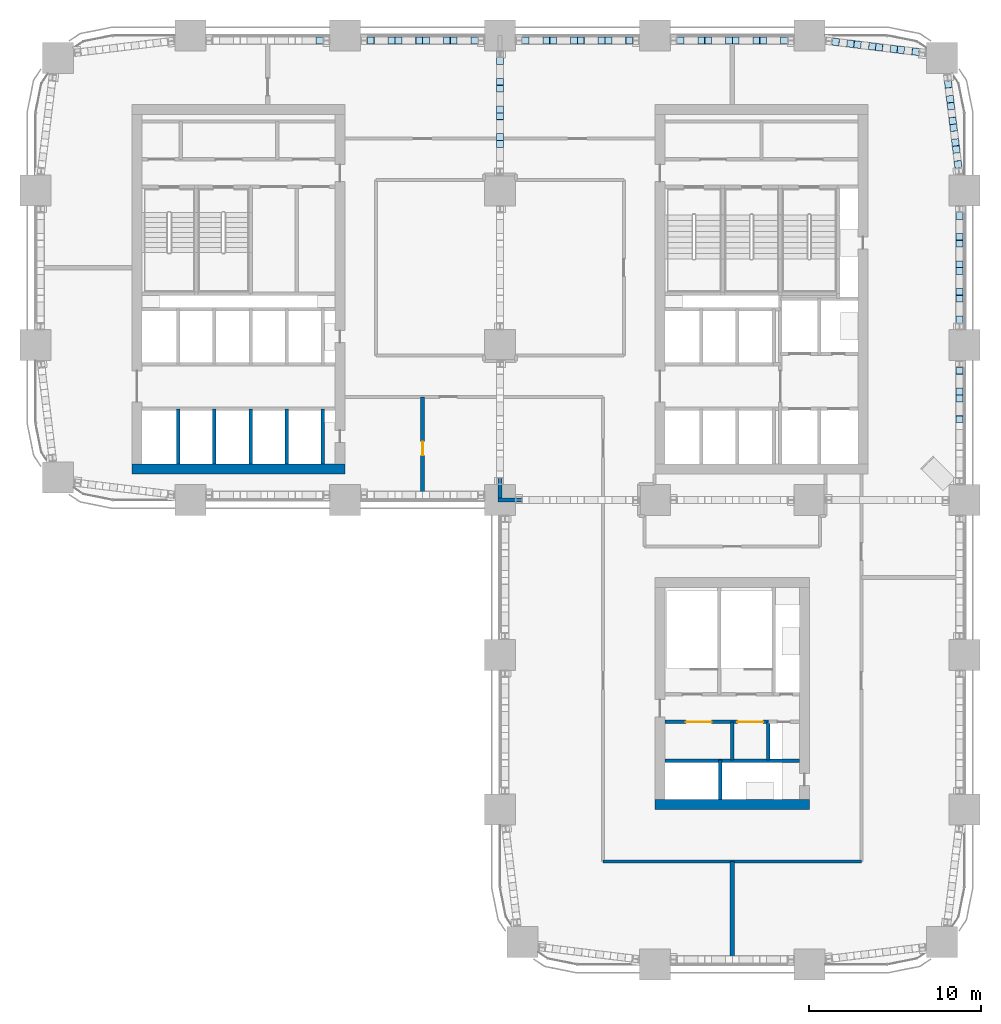
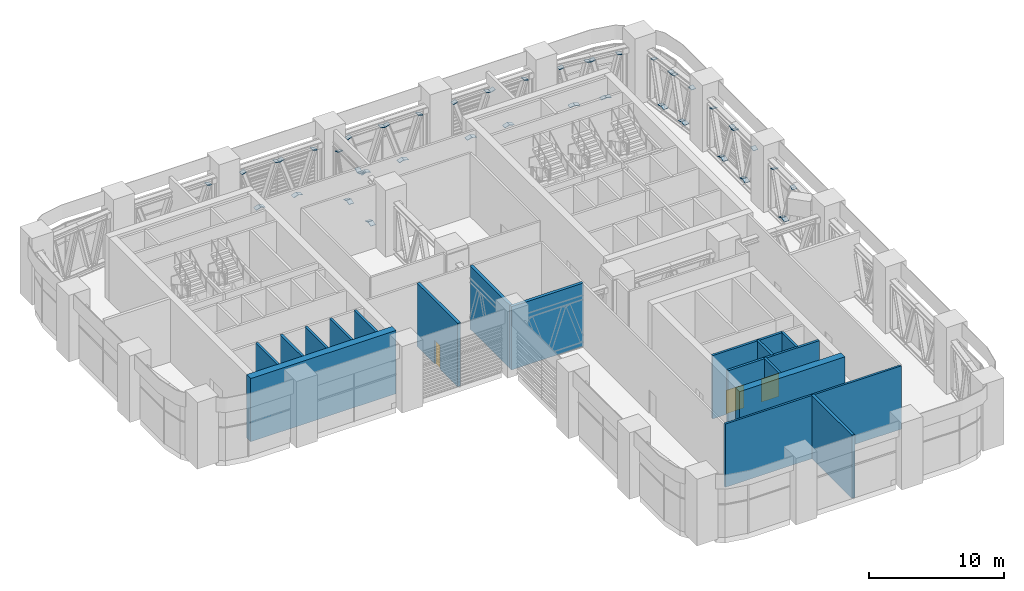
# One storey, part 15 of 24: 60 plates, 17 walls, 3 doors, 3 openings.
"""IFC4 building model written with IfcOpenShell, lengths in metres."""

import ifcopenshell
import ifcopenshell.guid

model = None  # the IFC model being written
_history = None  # IfcOwnerHistory: only IFC2X3 demands one
_inside = {}  # id of a spatial element -> (the spatial element, [elements in it])
_under = {}  # id of a project, library or spatial element -> (it, [spatial elements below it])
_declared = {}  # id of a project -> (the project, [libraries it declares])
_typed = {}  # id of a type object -> (the type object, [elements of that type])
_made_of = {}  # id of a material, layer set ... -> (it, [elements and type objects made of it])


def new_model(schema):
    """Start an empty IFC model of exactly this schema.

    Asked for "IFC4X3", IfcOpenShell would pick the latest addendum, in which some entities
    have other attributes; the version numbers below select the first issue.
    IFC2X3 requires an IfcOwnerHistory on every rooted entity: one is made here for all.
    """
    global model, _history
    if schema == "IFC4X3":
        model = ifcopenshell.file(schema_version=(4, 3, 0, 0))
    else:
        model = ifcopenshell.file(schema=schema)
    _inside.clear()
    _under.clear()
    _declared.clear()
    _typed.clear()
    _made_of.clear()
    _history = None
    if model.schema == "IFC2X3":
        org = make("IfcOrganization", Name="unknown")
        user = make(
            "IfcPersonAndOrganization",
            ThePerson=make("IfcPerson", FamilyName="unknown"),
            TheOrganization=org,
        )
        app = make(
            "IfcApplication",
            ApplicationDeveloper=org,
            Version="unknown",
            ApplicationFullName="unknown",
            ApplicationIdentifier="unknown",
        )
        _history = make(
            "IfcOwnerHistory",
            OwningUser=user,
            OwningApplication=app,
            ChangeAction="ADDED",
            CreationDate=0,
        )
    return model


def make(cls, **values):
    """One entity of the class cls with the attributes given. An attribute that is None is left unset."""
    return model.create_entity(
        cls, **{name: value for name, value in values.items() if value is not None}
    )


def rooted(cls, **values):
    """An entity with a GlobalId (a new one), such as an element, a storey or a relation."""
    return make(cls, GlobalId=ifcopenshell.guid.new(), OwnerHistory=_history, **values)


def si_unit(unit_type, name, prefix=None):
    """IfcSIUnit, for example si_unit("LENGTHUNIT", "METRE", prefix="MILLI")."""
    return make("IfcSIUnit", UnitType=unit_type, Prefix=prefix, Name=name)


def assignment(units):
    """IfcUnitAssignment: the units of a project."""
    return None if units is None else make("IfcUnitAssignment", Units=units)


def point(xyz):
    """IfcCartesianPoint."""
    return None if xyz is None else make("IfcCartesianPoint", Coordinates=xyz)


def direction(xyz):
    """IfcDirection."""
    return None if xyz is None else make("IfcDirection", DirectionRatios=xyz)


def frame(location, z_axis=None, x_axis=None):
    """IfcAxis2Placement3D, a coordinate frame: its origin and axes. An axis left out is left unset."""
    return make(
        "IfcAxis2Placement3D",
        Location=point(location),
        Axis=direction(z_axis),
        RefDirection=direction(x_axis),
    )


def frame_2d(location, x_axis=None):
    """IfcAxis2Placement2D, a coordinate frame in the plane: its origin and x axis."""
    return make(
        "IfcAxis2Placement2D", Location=point(location), RefDirection=direction(x_axis)
    )


def origin():
    """The frame at (0, 0, 0) with its axes left unset."""
    return frame((0.0, 0.0, 0.0))


def origin_2d():
    """The frame at (0, 0) in the plane with its x axis left unset."""
    return frame_2d((0.0, 0.0))


def place(relative_to, where):
    """IfcLocalPlacement: puts the frame where relative to a parent placement (None: the world)."""
    return make(
        "IfcLocalPlacement", PlacementRelTo=relative_to, RelativePlacement=where
    )


def context(
    kind, dimensions, precision=None, world=None, true_north=None, identifier=None
):
    """IfcGeometricRepresentationContext, for example the 3D "Model" context."""
    return make(
        "IfcGeometricRepresentationContext",
        ContextIdentifier=identifier,
        ContextType=kind,
        CoordinateSpaceDimension=dimensions,
        Precision=precision,
        WorldCoordinateSystem=world,
        TrueNorth=true_north,
    )


def subcontext(parent, identifier, kind, view, scale=None):
    """IfcGeometricRepresentationSubContext, for example "Body" below "Model"."""
    return make(
        "IfcGeometricRepresentationSubContext",
        ContextIdentifier=identifier,
        ContextType=kind,
        ParentContext=parent,
        TargetScale=scale,
        TargetView=view,
    )


def project(units=None, contexts=None):
    """IfcProject with its units and contexts."""
    return rooted(
        "IfcProject",
        Name="project",
        RepresentationContexts=contexts,
        UnitsInContext=assignment(units),
    )


def spatial(cls, under=None, at=None, **own):
    """A site, building, storey or space (cls), placed at a placement, below another one or the project."""
    s = rooted(cls, ObjectPlacement=at, **own)
    if under is not None:
        _under.setdefault(under.id(), (under, []))[1].append(s)
    return s


def profile(cls, at=None, kind="AREA", **sizes):
    """A parametric profile (cls). Its sizes go by their IFC names, for example OverallWidth=200.0."""
    return make(cls, ProfileType=kind, Position=at, **sizes)


def rectangle(**sizes):
    """IfcRectangleProfileDef."""
    return profile("IfcRectangleProfileDef", **sizes)


def extrude(swept, where, along, depth):
    """IfcExtrudedAreaSolid: the profile swept, set in the frame where, extruded along a direction by depth."""
    return make(
        "IfcExtrudedAreaSolid",
        SweptArea=swept,
        Position=where,
        ExtrudedDirection=direction(along),
        Depth=depth,
    )


def shape(context_of_items, identifier, shape_type, items):
    """IfcShapeRepresentation: the items that make up one representation, for example the "Body"."""
    return make(
        "IfcShapeRepresentation",
        ContextOfItems=context_of_items,
        RepresentationIdentifier=identifier,
        RepresentationType=shape_type,
        Items=items,
    )


def material(Name=None, Category=None):
    """IfcMaterial."""
    return make("IfcMaterial", Name=Name, Category=Category)


def layer(
    of_material, thickness, ventilated=None, Name=None, Category=None, Priority=None
):
    """IfcMaterialLayer: one layer of a wall or slab, of a material (None: an air gap)."""
    return make(
        "IfcMaterialLayer",
        Material=of_material,
        LayerThickness=thickness,
        IsVentilated=ventilated,
        Name=Name,
        Category=Category,
        Priority=Priority,
    )


def layer_set(layers, Name=None):
    """IfcMaterialLayerSet."""
    return make("IfcMaterialLayerSet", MaterialLayers=layers, LayerSetName=Name)


def made_of(thing, what):
    """Note that an element or type object is made of a material, layer set ...; save() writes the relation."""
    if what is not None:
        _made_of.setdefault(what.id(), (what, []))[1].append(thing)
    return thing


def type_object(cls, material=None, **own):
    """A type object (cls), such as IfcWallType, which elements share."""
    return made_of(rooted(cls, **own), material)


def element(
    cls,
    number,
    at=None,
    inside=None,
    cuts=None,
    type_object=None,
    material=None,
    context=None,
    identifier="Body",
    shape_type=None,
    held_by="IfcProductDefinitionShape",
    body=None,
    shapes=None,
    **own,
):
    """One element of the class cls, such as IfcWall. Its Tag is "e" and its number.

    at: its placement. inside: the storey or other place that contains it. cuts: it is an
    opening in that element (IfcRelVoidsElement). A single representation is given by context,
    identifier, shape_type and body (its items); several are given by shapes. held_by: the class
    of the entity that holds the representations. save() writes the other relations.
    """
    e = rooted(cls, Tag="e%d" % number, ObjectPlacement=at, **own)
    if body is not None:
        shapes = [shape(context, identifier, shape_type, body)]
    if shapes is not None:
        e.Representation = make(held_by, Representations=shapes)
    if inside is not None:
        _inside.setdefault(inside.id(), (inside, []))[1].append(e)
    if cuts is not None:
        rooted(
            "IfcRelVoidsElement", RelatingBuildingElement=cuts, RelatedOpeningElement=e
        )
    if type_object is not None:
        _typed.setdefault(type_object.id(), (type_object, []))[1].append(e)
    return made_of(e, material)


def fill(opening, filler):
    """IfcRelFillsElement: the door or window that sits in an opening."""
    return rooted(
        "IfcRelFillsElement",
        RelatingOpeningElement=opening,
        RelatedBuildingElement=filler,
    )


def aggregate(whole, parts):
    """IfcRelAggregates: a whole, such as a stair, and the parts it consists of."""
    return rooted("IfcRelAggregates", RelatingObject=whole, RelatedObjects=parts)


def save(model, path):
    """Write the relations noted so far, then the file.

    IfcRelAggregates (storeys below a building ...), IfcRelContainedInSpatialStructure (elements
    in a storey), IfcRelDefinesByType, IfcRelAssociatesMaterial and IfcRelDeclares: one each for
    every whole, place, type object, material and project.
    """
    for whole, parts in _under.values():
        aggregate(whole, parts)
    for where, things in _inside.values():
        rooted(
            "IfcRelContainedInSpatialStructure",
            RelatedElements=things,
            RelatingStructure=where,
        )
    for kind, things in _typed.values():
        rooted("IfcRelDefinesByType", RelatedObjects=things, RelatingType=kind)
    for what, things in _made_of.values():
        rooted("IfcRelAssociatesMaterial", RelatedObjects=things, RelatingMaterial=what)
    for by, libraries in _declared.values():
        rooted("IfcRelDeclares", RelatingContext=by, RelatedDefinitions=libraries)
    model.write(path)


model = new_model("IFC4")

# Units and contexts
model_context = context("Model", 3, precision=1e-05, world=origin(), true_north=direction((0.0, 1.0)))
body_context = subcontext(model_context, "Body", "Model", "MODEL_VIEW")
ifc_project = project(units=[si_unit("LENGTHUNIT", "METRE"), si_unit("AREAUNIT", "SQUARE_METRE"), si_unit("VOLUMEUNIT", "CUBIC_METRE"), si_unit("PLANEANGLEUNIT", "RADIAN"), si_unit("MASSUNIT", "GRAM", prefix="KILO")], contexts=[model_context])

# Site, building, storey
site_placement = place(None, origin())
site = spatial("IfcSite", under=ifc_project, at=site_placement, CompositionType="ELEMENT")
building_placement = place(site_placement, origin())
building = spatial("IfcBuilding", under=site, at=building_placement, Name="Tessera Arch", CompositionType="ELEMENT")
storey_placement = place(building_placement, frame((0.0, 0.0, 123.39990234375)))
storey = spatial("IfcBuildingStorey", under=building, at=storey_placement, Name="L29", CompositionType="ELEMENT", Elevation=123.39990234375)

# Plates
ifc_material_1 = material(Name="Steel A572 Gr50", Category="steel")
ifc_layer_1 = layer(ifc_material_1, 0.0400390625)
ifc_layer_set_1 = layer_set([ifc_layer_1], Name="End plate W14x257")
plate_type = type_object("IfcPlateType", Name="End plate W14x257", PredefinedType="SHEET", material=ifc_layer_set_1)
for number, where, z_axis, x_axis, name in (
    (1, (43.515625, 53.699951171875, 4.180908203125), (-0.316227766017, 0.0, -0.948683298051), (0.0, -1.0, 0.0), "End plate Belt truss diagonal 1 end 1"),
    (2, (42.306396484375, 53.699951171875, 0.557373046875), (-0.316227766017, 0.0, -0.948683298051), (0.0, -1.0, 0.0), "End plate Belt truss diagonal 1 end 2"),
    (3, (41.91259765625, 53.699951171875, 0.519287109375), (-0.316227766017, 0.0, 0.948683298051), (0.0, -1.0, 0.0), "End plate Belt truss diagonal 2 end 1"),
    (4, (40.703369140625, 53.699951171875, 4.142822265625), (-0.316227766017, 0.0, 0.948683298051), (0.0, -1.0, 0.0), "End plate Belt truss diagonal 2 end 2"),
    (5, (40.309326171875, 53.699951171875, 4.180908203125), (-0.316227766017, 0.0, -0.948683298051), (0.0, -1.0, 0.0), "End plate Belt truss diagonal 3 end 1"),
    (6, (39.10009765625, 53.699951171875, 0.557373046875), (-0.316227766017, 0.0, -0.948683298051), (0.0, -1.0, 0.0), "End plate Belt truss diagonal 3 end 2"),
    (7, (38.706298828125, 53.699951171875, 0.519287109375), (-0.316227766017, 0.0, 0.948683298051), (0.0, -1.0, 0.0), "End plate Belt truss diagonal 4 end 1"),
    (8, (37.4970703125, 53.699951171875, 4.142822265625), (-0.316227766017, 0.0, 0.948683298051), (0.0, -1.0, 0.0), "End plate Belt truss diagonal 4 end 2"),
    (9, (34.515625, 53.699951171875, 4.180908203125), (-0.316227766017, 0.0, -0.948683298051), (0.0, -1.0, 0.0), "End plate Belt truss diagonal 1 end 1"),
    (10, (33.306396484375, 53.699951171875, 0.557373046875), (-0.316227766017, 0.0, -0.948683298051), (0.0, -1.0, 0.0), "End plate Belt truss diagonal 1 end 2"),
    (11, (32.91259765625, 53.699951171875, 0.519287109375), (-0.316227766017, 0.0, 0.948683298051), (0.0, -1.0, 0.0), "End plate Belt truss diagonal 2 end 1"),
    (12, (31.703369140625, 53.699951171875, 4.142822265625), (-0.316227766017, 0.0, 0.948683298051), (0.0, -1.0, 0.0), "End plate Belt truss diagonal 2 end 2"),
    (13, (31.309326171875, 53.699951171875, 4.180908203125), (-0.316227766017, 0.0, -0.948683298051), (0.0, -1.0, 0.0), "End plate Belt truss diagonal 3 end 1"),
    (14, (30.10009765625, 53.699951171875, 0.557373046875), (-0.316227766017, 0.0, -0.948683298051), (0.0, -1.0, 0.0), "End plate Belt truss diagonal 3 end 2"),
    (15, (29.706298828125, 53.699951171875, 0.519287109375), (-0.316227766017, 0.0, 0.948683298051), (0.0, -1.0, 0.0), "End plate Belt truss diagonal 4 end 1"),
    (16, (28.4970703125, 53.699951171875, 4.142822265625), (-0.316227766017, 0.0, 0.948683298051), (0.0, -1.0, 0.0), "End plate Belt truss diagonal 4 end 2"),
    (17, (25.515625, 53.699951171875, 4.180908203125), (-0.316227766017, 0.0, -0.948683298051), (0.0, -1.0, 0.0), "End plate Belt truss diagonal 1 end 1"),
    (18, (24.306396484375, 53.699951171875, 0.557373046875), (-0.316227766017, 0.0, -0.948683298051), (0.0, -1.0, 0.0), "End plate Belt truss diagonal 1 end 2"),
    (19, (23.91259765625, 53.699951171875, 0.519287109375), (-0.316227766017, 0.0, 0.948683298051), (0.0, -1.0, 0.0), "End plate Belt truss diagonal 2 end 1"),
    (20, (22.703369140625, 53.699951171875, 4.142822265625), (-0.316227766017, 0.0, 0.948683298051), (0.0, -1.0, 0.0), "End plate Belt truss diagonal 2 end 2"),
    (21, (22.309326171875, 53.699951171875, 4.180908203125), (-0.316227766017, 0.0, -0.948683298051), (0.0, -1.0, 0.0), "End plate Belt truss diagonal 3 end 1"),
    (22, (21.10009765625, 53.699951171875, 0.557373046875), (-0.316227766017, 0.0, -0.948683298051), (0.0, -1.0, 0.0), "End plate Belt truss diagonal 3 end 2"),
    (23, (20.706298828125, 53.699951171875, 0.519287109375), (-0.316227766017, 0.0, 0.948683298051), (0.0, -1.0, 0.0), "End plate Belt truss diagonal 4 end 1"),
    (24, (19.4970703125, 53.699951171875, 4.142822265625), (-0.316227766017, 0.0, 0.948683298051), (0.0, -1.0, 0.0), "End plate Belt truss diagonal 4 end 2"),
    (25, (16.515625, 53.699951171875, 4.180908203125), (-0.316227766017, 0.0, -0.948683298051), (0.0, -1.0, 0.0), "End plate Belt truss diagonal 1 end 1"),
    (26, (53.699951171875, 31.690673828125, 4.180908203125), (0.0, 0.316227766017, -0.948683298051), (-1.0, 0.0, 0.0), "End plate Belt truss diagonal 3 end 1"),
    (27, (53.699951171875, 32.89990234375, 0.557373046875), (0.0, 0.316227766017, -0.948683298051), (-1.0, 0.0, 0.0), "End plate Belt truss diagonal 3 end 2"),
    (28, (53.699951171875, 33.293701171875, 0.519287109375), (0.0, 0.316227766017, 0.948683298051), (-1.0, 0.0, 0.0), "End plate Belt truss diagonal 4 end 1"),
    (29, (53.699951171875, 34.5029296875, 4.142822265625), (0.0, 0.316227766017, 0.948683298051), (-1.0, 0.0, 0.0), "End plate Belt truss diagonal 4 end 2"),
    (30, (53.699951171875, 37.484375, 4.180908203125), (0.0, 0.316227766017, -0.948683298051), (-1.0, 0.0, 0.0), "End plate Belt truss diagonal 1 end 1"),
    (31, (53.699951171875, 38.693603515625, 0.557373046875), (0.0, 0.316227766017, -0.948683298051), (-1.0, 0.0, 0.0), "End plate Belt truss diagonal 1 end 2"),
    (32, (53.699951171875, 39.08740234375, 0.519287109375), (0.0, 0.316227766017, 0.948683298051), (-1.0, 0.0, 0.0), "End plate Belt truss diagonal 2 end 1"),
    (33, (53.699951171875, 40.296630859375, 4.142822265625), (0.0, 0.316227766017, 0.948683298051), (-1.0, 0.0, 0.0), "End plate Belt truss diagonal 2 end 2"),
    (34, (53.699951171875, 40.690673828125, 4.180908203125), (0.0, 0.316227766017, -0.948683298051), (-1.0, 0.0, 0.0), "End plate Belt truss diagonal 3 end 1"),
    (35, (53.699951171875, 41.89990234375, 0.557373046875), (0.0, 0.316227766017, -0.948683298051), (-1.0, 0.0, 0.0), "End plate Belt truss diagonal 3 end 2"),
    (36, (53.699951171875, 42.293701171875, 0.519287109375), (0.0, 0.316227766017, 0.948683298051), (-1.0, 0.0, 0.0), "End plate Belt truss diagonal 4 end 1"),
    (37, (53.699951171875, 43.5029296875, 4.142822265625), (0.0, 0.316227766017, 0.948683298051), (-1.0, 0.0, 0.0), "End plate Belt truss diagonal 4 end 2"),
    (38, (53.623046875, 46.5126953125, 4.199462890625), (-0.024349989604, 0.225237403834, -0.973999584148), (-0.994207047566, -0.10748184298, 0.0), "End plate Belt truss diagonal 1 end 1"),
    (39, (53.5185546875, 47.37060546875, 0.539794921875), (-0.024316221747, 0.231004106598, -0.972648869888), (-0.994505452921, -0.104684784518, 0.0), "End plate Belt truss diagonal 1 end 2"),
    (40, (53.4697265625, 47.772216796875, 0.500732421875), (-0.03043241254, 0.225199852793, 0.973837201266), (-0.99099243041, -0.133917896001, 0.0), "End plate Belt truss diagonal 2 end 1"),
    (41, (53.364990234375, 48.63037109375, 4.160400390625), (-0.024349989604, 0.225237403834, 0.973999584148), (-0.994207047566, -0.10748184298, 0.0), "End plate Belt truss diagonal 2 end 2"),
    (42, (53.316162109375, 49.03173828125, 4.199462890625), (-0.024316221747, 0.231004106598, -0.972648869888), (-0.994505452921, -0.104684784518, 0.0), "End plate Belt truss diagonal 3 end 1"),
):
    element("IfcPlate", number, at=place(storey_placement, frame(where, z_axis=z_axis, x_axis=x_axis)), inside=storey, type_object=plate_type, Name=name, PredefinedType="SHEET", context=body_context, shape_type="SweptSolid", body=[
        extrude(rectangle(XDim=0.406494140625, YDim=0.41650390625, at=origin_2d()), origin(), (0.0, 0.0, 1.0), 0.0400390625),
    ])
plate_1_placement = place(storey_placement, frame((53.211669921875, 49.889892578125, 0.539794921875), z_axis=(-0.030390223798, 0.230965700861, -0.972487161521), x_axis=(-0.991454295543, -0.130454512571, 0.0)))
element("IfcPlate", 43, at=plate_1_placement, inside=storey, type_object=plate_type, Name="End plate Belt truss diagonal 3 end 2", PredefinedType="SHEET", context=body_context, shape_type="SweptSolid", body=[
    extrude(rectangle(XDim=0.406494140625, YDim=0.41650390625, at=origin_2d()), origin(), (0.0, 0.0, 1.0), 0.040283203125),
])
for number, where, z_axis, x_axis, name in (
    (44, (53.16259765625, 50.29150390625, 0.500732421875), (-0.024349989604, 0.225237403834, 0.973999584148), (-0.994207047566, -0.10748184298, 0.0), "End plate Belt truss diagonal 4 end 1"),
    (45, (53.05810546875, 51.149658203125, 4.160400390625), (-0.024349989604, 0.225237403834, 0.973999584148), (-0.994207047566, -0.10748184298, 0.0), "End plate Belt truss diagonal 4 end 2"),
    (46, (51.15869140625, 53.05712890625, 4.199462890625), (-0.225237403834, 0.024349989604, -0.973999584148), (-0.10748184298, -0.994207047566, 0.0), "End plate Belt truss diagonal 1 end 1"),
    (47, (50.300537109375, 53.16162109375, 0.539794921875), (-0.225237403834, 0.024349989604, -0.973999584148), (-0.10748184298, -0.994207047566, 0.0), "End plate Belt truss diagonal 1 end 2"),
):
    element("IfcPlate", number, at=place(storey_placement, frame(where, z_axis=z_axis, x_axis=x_axis)), inside=storey, type_object=plate_type, Name=name, PredefinedType="SHEET", context=body_context, shape_type="SweptSolid", body=[
        extrude(rectangle(XDim=0.406494140625, YDim=0.41650390625, at=origin_2d()), origin(), (0.0, 0.0, 1.0), 0.0400390625),
    ])
plate_2_placement = place(storey_placement, frame((49.899169921875, 53.21044921875, 0.500732421875), z_axis=(-0.230965700861, 0.030390223798, 0.972487161521), x_axis=(-0.130454512571, -0.991454295543, 0.0)))
element("IfcPlate", 48, at=plate_2_placement, inside=storey, type_object=plate_type, Name="End plate Belt truss diagonal 2 end 1", PredefinedType="SHEET", context=body_context, shape_type="SweptSolid", body=[
    extrude(rectangle(XDim=0.406494140625, YDim=0.41650390625, at=origin_2d()), origin(), (0.0, 0.0, 1.0), 0.040283203125),
])
for number, where, z_axis, x_axis, name in (
    (49, (49.041015625, 53.315185546875, 4.160400390625), (-0.231004106598, 0.024316221747, 0.972648869888), (-0.104684784518, -0.994505452921, 0.0), "End plate Belt truss diagonal 2 end 2"),
    (50, (48.639404296875, 53.364013671875, 4.199462890625), (-0.225237403834, 0.024349989604, -0.973999584148), (-0.10748184298, -0.994207047566, 0.0), "End plate Belt truss diagonal 3 end 1"),
    (51, (47.78125, 53.468505859375, 0.539794921875), (-0.225199852793, 0.03043241254, -0.973837201266), (-0.133917896001, -0.99099243041, 0.0), "End plate Belt truss diagonal 3 end 2"),
    (52, (47.3798828125, 53.517578125, 0.500732421875), (-0.231004106598, 0.024316221747, 0.972648869888), (-0.104684784518, -0.994505452921, 0.0), "End plate Belt truss diagonal 4 end 1"),
    (53, (46.521728515625, 53.6220703125, 4.160400390625), (-0.225237403834, 0.024349989604, 0.973999584148), (-0.10748184298, -0.994207047566, 0.0), "End plate Belt truss diagonal 4 end 2"),
    (54, (27.0, 47.693603515625, 0.557373046875), (0.0, 0.316227766017, -0.948683298051), (-1.0, 0.0, 0.0), "End plate Belt truss diagonal 1 end 2"),
    (55, (27.0, 48.08740234375, 0.519287109375), (0.0, 0.316227766017, 0.948683298051), (-1.0, 0.0, 0.0), "End plate Belt truss diagonal 2 end 1"),
    (56, (27.0, 49.296630859375, 4.142822265625), (0.0, 0.316227766017, 0.948683298051), (-1.0, 0.0, 0.0), "End plate Belt truss diagonal 2 end 2"),
    (57, (27.0, 49.690673828125, 4.180908203125), (0.0, 0.316227766017, -0.948683298051), (-1.0, 0.0, 0.0), "End plate Belt truss diagonal 3 end 1"),
    (58, (27.0, 50.89990234375, 0.557373046875), (0.0, 0.316227766017, -0.948683298051), (-1.0, 0.0, 0.0), "End plate Belt truss diagonal 3 end 2"),
    (59, (27.0, 51.293701171875, 0.519287109375), (0.0, 0.316227766017, 0.948683298051), (-1.0, 0.0, 0.0), "End plate Belt truss diagonal 4 end 1"),
    (60, (27.0, 52.5029296875, 4.142822265625), (0.0, 0.316227766017, 0.948683298051), (-1.0, 0.0, 0.0), "End plate Belt truss diagonal 4 end 2"),
):
    element("IfcPlate", number, at=place(storey_placement, frame(where, z_axis=z_axis, x_axis=x_axis)), inside=storey, type_object=plate_type, Name=name, PredefinedType="SHEET", context=body_context, shape_type="SweptSolid", body=[
        extrude(rectangle(XDim=0.406494140625, YDim=0.41650390625, at=origin_2d()), origin(), (0.0, 0.0, 1.0), 0.0400390625),
    ])

# Wall
ifc_material_2 = material(Name="Gypsum board on steel stud", Category="steel")
ifc_layer_2 = layer(ifc_material_2, 0.125)
ifc_layer_set_2 = layer_set([ifc_layer_2], Name="Core partition 125 EI 60")
wall_type_1 = type_object("IfcWallType", Name="Core partition 125 EI 60", PredefinedType="PARTITIONING", material=ifc_layer_set_2)
wall_1_placement = place(storey_placement, frame((40.5, 11.89990234375, 0.0), z_axis=(0.0, 0.0, 1.0), x_axis=(0.0, 1.0, 0.0)))
element("IfcWall", 61, at=wall_1_placement, inside=storey, type_object=wall_type_1, Name="L29 C3 partition wall 3", PredefinedType="PARTITIONING", context=body_context, shape_type="SweptSolid", body=[
    extrude(rectangle(XDim=2.2001953125, YDim=0.199951171875, at=frame_2d((1.10009765625, 0.0))), origin(), (0.0, 0.0, 1.0), 5.7001953125),
])

# Wall, openings, doors
wall_2_placement = place(storey_placement, frame((36.60009765625, 14.10009765625, 0.0), z_axis=(0.0, 0.0, 1.0), x_axis=(1.0, 0.0, 0.0)))
wall_2 = element("IfcWall", 62, at=wall_2_placement, inside=storey, type_object=wall_type_1, Name="L29 C3 partition wall 7", PredefinedType="PARTITIONING", context=body_context, shape_type="SweptSolid", body=[
    extrude(rectangle(XDim=6.0, YDim=0.199951171875, at=frame_2d((3.0, 0.0))), origin(), (0.0, 0.0, 1.0), 5.7001953125),
])
opening_1_placement = place(wall_2_placement, frame((1.199951171875, 0.0, 0.0)))
opening_1 = element("IfcOpeningElement", 63, at=opening_1_placement, cuts=wall_2, Name="Opening L29-C31", PredefinedType="OPENING", context=body_context, shape_type="SweptSolid", body=[
    extrude(rectangle(XDim=1.5, YDim=2.10009765625, at=frame_2d((0.75, 1.050048828125))), frame((0.0, 0.10986328125, 0.0), z_axis=(0.0, -1.0, 0.0), x_axis=(1.0, 0.0, 0.0)), (0.0, 0.0, 1.0), 0.219970703125),
])
opening_2_placement = place(wall_2_placement, frame((4.199951171875, 0.0, 0.0)))
opening_2 = element("IfcOpeningElement", 64, at=opening_2_placement, cuts=wall_2, Name="Opening L29-C32", PredefinedType="OPENING", context=body_context, shape_type="SweptSolid", body=[
    extrude(rectangle(XDim=1.5, YDim=2.10009765625, at=frame_2d((0.75, 1.050048828125))), frame((0.0, 0.10986328125, 0.0), z_axis=(0.0, -1.0, 0.0), x_axis=(1.0, 0.0, 0.0)), (0.0, 0.0, 1.0), 0.219970703125),
])
ifc_material_3 = material(Name="Steel door leaf", Category="steel")
door_type_1 = type_object("IfcDoorType", Name="Plant door FD60 1500 x 2100", OperationType="DOUBLE_DOOR_SINGLE_SWING", PredefinedType="DOOR", material=ifc_material_3)
door_1_placement = place(opening_1_placement, origin())
door_1 = element("IfcDoor", 65, at=door_1_placement, inside=storey, type_object=door_type_1, Name="L29 C3 door 7 C31 type D08", OperationType="DOUBLE_DOOR_SINGLE_SWING", OverallHeight=2.10009765625, OverallWidth=1.5, PredefinedType="DOOR", context=body_context, shape_type="SweptSolid", body=[
    extrude(rectangle(XDim=1.5, YDim=2.10009765625, at=frame_2d((0.75, 1.050048828125))), frame((0.0, 0.02490234375, 0.0), z_axis=(0.0, -1.0, 0.0), x_axis=(1.0, 0.0, 0.0)), (0.0, 0.0, 1.0), 0.050048828125),
])
fill(opening_1, door_1)
door_2_placement = place(opening_2_placement, origin())
door_2 = element("IfcDoor", 66, at=door_2_placement, inside=storey, type_object=door_type_1, Name="L29 C3 door 8 C32 type D08", OperationType="DOUBLE_DOOR_SINGLE_SWING", OverallHeight=2.10009765625, OverallWidth=1.5, PredefinedType="DOOR", context=body_context, shape_type="SweptSolid", body=[
    extrude(rectangle(XDim=1.5, YDim=2.10009765625, at=frame_2d((0.75, 1.050048828125))), frame((0.0, 0.02490234375, 0.0), z_axis=(0.0, -1.0, 0.0), x_axis=(1.0, 0.0, 0.0)), (0.0, 0.0, 1.0), 0.050048828125),
])
fill(opening_2, door_2)

# Walls
ifc_material_4 = material(Name="Concrete C70/85", Category="concrete")
ifc_layer_3 = layer(ifc_material_4, 0.60009765625)
ifc_layer_set_3 = layer_set([ifc_layer_3], Name="Core shell wall 600 C70-85")
wall_type_2 = type_object("IfcWallType", Name="Core shell wall 600 C70-85", PredefinedType="SHEAR", material=ifc_layer_set_3)
wall_3_placement = place(storey_placement, frame((5.60009765625, 28.800048828125, 0.0), z_axis=(0.0, 0.0, 1.0), x_axis=(1.0, 0.0, 0.0)))
element("IfcWall", 67, at=wall_3_placement, inside=storey, type_object=wall_type_2, Name="L29 C2 core wall S", PredefinedType="SHEAR", context=body_context, shape_type="SweptSolid", body=[
    extrude(rectangle(XDim=12.39990234375, YDim=0.60009765625, at=frame_2d((6.199951171875, 0.0))), origin(), (0.0, 0.0, 1.0), 5.7001953125),
])
wall_4_placement = place(storey_placement, frame((36.0, 9.300048828125, 0.0), z_axis=(0.0, 0.0, 1.0), x_axis=(1.0, 0.0, 0.0)))
element("IfcWall", 68, at=wall_4_placement, inside=storey, type_object=wall_type_2, Name="L29 C3 core wall S", PredefinedType="SHEAR", context=body_context, shape_type="SweptSolid", body=[
    extrude(rectangle(XDim=9.0, YDim=0.60009765625, at=frame_2d((4.5, 0.0))), origin(), (0.0, 0.0, 1.0), 5.7001953125),
])
ifc_material_5 = material(Name="Gypsum board on deep steel stud with mineral wool", Category="steel")
ifc_layer_4 = layer(ifc_material_5, 0.175048828125)
ifc_layer_set_4 = layer_set([ifc_layer_4], Name="Corridor wall 175 EI 60")
wall_type_3 = type_object("IfcWallType", Name="Corridor wall 175 EI 60", PredefinedType="PARTITIONING", material=ifc_layer_set_4)
wall_5_placement = place(storey_placement, frame((33.0, 6.0, 0.0), z_axis=(0.0, 0.0, 1.0), x_axis=(1.0, 0.0, 0.0)))
element("IfcWall", 69, at=wall_5_placement, inside=storey, type_object=wall_type_3, Name="L29 partition 1", PredefinedType="PARTITIONING", context=body_context, shape_type="SweptSolid", body=[
    extrude(rectangle(XDim=15.0, YDim=0.175048828125, at=frame_2d((7.5, 0.0))), origin(), (0.0, 0.0, 1.0), 5.7001953125),
])
ifc_material_6 = material(Name="Double gypsum board on twin steel stud with acoustic mineral wool", Category="steel")
ifc_layer_5 = layer(ifc_material_6, 0.25)
ifc_layer_set_5 = layer_set([ifc_layer_5], Name="Party wall 250 EI 60")
wall_type_4 = type_object("IfcWallType", Name="Party wall 250 EI 60", PredefinedType="PARTITIONING", material=ifc_layer_set_5)
wall_6_placement = place(storey_placement, frame((26.875, 27.0, 0.0), z_axis=(0.0, 0.0, 1.0), x_axis=(1.0, 0.0, 0.0)))
element("IfcWall", 70, at=wall_6_placement, inside=storey, type_object=wall_type_4, Name="L29 partition 29", PredefinedType="PARTITIONING", context=body_context, shape_type="SweptSolid", body=[
    extrude(rectangle(XDim=6.125, YDim=0.25, at=frame_2d((3.0625, 0.0))), origin(), (0.0, 0.0, 1.0), 5.7001953125),
])

# Wall, opening, door
wall_7_placement = place(storey_placement, frame((22.5, 27.0, 0.0), z_axis=(0.0, 0.0, 1.0), x_axis=(0.0, 1.0, 0.0)))
wall_7 = element("IfcWall", 71, at=wall_7_placement, inside=storey, type_object=wall_type_4, Name="L29 partition 32", PredefinedType="PARTITIONING", context=body_context, shape_type="SweptSolid", body=[
    extrude(rectangle(XDim=6.0, YDim=0.25, at=frame_2d((3.0, 0.0))), origin(), (0.0, 0.0, 1.0), 5.7001953125),
])
opening_3_placement = place(wall_7_placement, frame((2.60009765625, 0.0, 0.0)))
opening_3 = element("IfcOpeningElement", 72, at=opening_3_placement, cuts=wall_7, Name="Opening L29-D010", PredefinedType="OPENING", context=body_context, shape_type="SweptSolid", body=[
    extrude(rectangle(XDim=0.800048828125, YDim=2.10009765625, at=frame_2d((0.39990234375, 1.050048828125))), frame((0.0, 0.135009765625, 0.0), z_axis=(0.0, -1.0, 0.0), x_axis=(1.0, 0.0, 0.0)), (0.0, 0.0, 1.0), 0.27001953125),
])
ifc_material_7 = material(Name="Fire-rated door leaf")
door_type_2 = type_object("IfcDoorType", Name="Flat door FD60 800 x 2100", OperationType="SINGLE_SWING_LEFT", PredefinedType="DOOR", material=ifc_material_7)
door_3_placement = place(opening_3_placement, origin())
door_3 = element("IfcDoor", 73, at=door_3_placement, inside=storey, type_object=door_type_2, Name="L29 door D010 type D15", OperationType="SINGLE_SWING_RIGHT", OverallHeight=2.10009765625, OverallWidth=0.800048828125, PredefinedType="DOOR", context=body_context, shape_type="SweptSolid", body=[
    extrude(rectangle(XDim=0.800048828125, YDim=2.10009765625, at=frame_2d((0.39990234375, 1.050048828125))), frame((0.0, 0.02490234375, 0.0), z_axis=(0.0, -1.0, 0.0), x_axis=(1.0, 0.0, 0.0)), (0.0, 0.0, 1.0), 0.050048828125),
])
fill(opening_3, door_3)

# Walls
wall_8_placement = place(storey_placement, frame((27.0, 27.125, 0.0), z_axis=(0.0, 0.0, 1.0), x_axis=(0.0, 1.0, 0.0)))
element("IfcWall", 74, at=wall_8_placement, inside=storey, type_object=wall_type_4, Name="L29 partition 33", PredefinedType="PARTITIONING", context=body_context, shape_type="SweptSolid", body=[
    extrude(rectangle(XDim=5.875, YDim=0.25, at=frame_2d((2.9375, 0.0))), origin(), (0.0, 0.0, 1.0), 5.7001953125),
])
wall_9_placement = place(storey_placement, frame((40.5, 0.0, 0.0), z_axis=(0.0, 0.0, 1.0), x_axis=(0.0, 1.0, 0.0)))
element("IfcWall", 75, at=wall_9_placement, inside=storey, type_object=wall_type_4, Name="L29 partition 35", PredefinedType="PARTITIONING", context=body_context, shape_type="SweptSolid", body=[
    extrude(rectangle(XDim=6.0, YDim=0.25, at=frame_2d((3.0, 0.0))), origin(), (0.0, 0.0, 1.0), 5.7001953125),
])
ifc_material_8 = material(Name="Concrete C40/50", Category="concrete")
ifc_layer_6 = layer(ifc_material_8, 0.199951171875)
ifc_layer_set_6 = layer_set([ifc_layer_6], Name="Shaft wall 200 EI 120")
wall_type_5 = type_object("IfcWallType", Name="Shaft wall 200 EI 120", PredefinedType="SOLIDWALL", material=ifc_layer_set_6)
for number, where, z_axis, x_axis, name in (
    (76, (8.300048828125, 29.10009765625, 0.0), (0.0, 0.0, 1.0), (0.0, 1.0, 0.0), "L29 C2 shaft wall 1"),
    (77, (10.39990234375, 29.10009765625, 0.0), (0.0, 0.0, 1.0), (0.0, 1.0, 0.0), "L29 C2 shaft wall 7"),
    (78, (12.5, 29.10009765625, 0.0), (0.0, 0.0, 1.0), (0.0, 1.0, 0.0), "L29 C2 shaft wall 9"),
    (79, (14.60009765625, 29.10009765625, 0.0), (0.0, 0.0, 1.0), (0.0, 1.0, 0.0), "L29 C2 shaft wall 15"),
    (80, (16.699951171875, 29.10009765625, 0.0), (0.0, 0.0, 1.0), (0.0, 1.0, 0.0), "L29 C2 shaft wall 18"),
):
    element("IfcWall", number, at=place(storey_placement, frame(where, z_axis=z_axis, x_axis=x_axis)), inside=storey, type_object=wall_type_5, Name=name, PredefinedType="SOLIDWALL", context=body_context, shape_type="SweptSolid", body=[
        extrude(rectangle(XDim=3.199951171875, YDim=0.199951171875, at=frame_2d((1.60009765625, 0.0))), origin(), (0.0, 0.0, 1.0), 5.7001953125),
    ])
wall_10_placement = place(storey_placement, frame((39.800048828125, 9.60009765625, 0.0), z_axis=(0.0, 0.0, 1.0), x_axis=(0.0, 1.0, 0.0)))
element("IfcWall", 81, at=wall_10_placement, inside=storey, type_object=wall_type_5, Name="L29 C3 shaft wall 2", PredefinedType="SOLIDWALL", context=body_context, shape_type="SweptSolid", body=[
    extrude(rectangle(XDim=2.2998046875, YDim=0.199951171875, at=frame_2d((1.14990234375, 0.0))), origin(), (0.0, 0.0, 1.0), 5.7001953125),
])
wall_11_placement = place(storey_placement, frame((42.60009765625, 11.89990234375, 0.0), z_axis=(0.0, 0.0, 1.0), x_axis=(0.0, 1.0, 0.0)))
element("IfcWall", 82, at=wall_11_placement, inside=storey, type_object=wall_type_5, Name="L29 C3 shaft wall 4", PredefinedType="SOLIDWALL", context=body_context, shape_type="SweptSolid", body=[
    extrude(rectangle(XDim=2.2001953125, YDim=0.199951171875, at=frame_2d((1.10009765625, 0.0))), origin(), (0.0, 0.0, 1.0), 5.7001953125),
])
wall_12_placement = place(storey_placement, frame((36.60009765625, 11.85009765625, 0.0), z_axis=(0.0, 0.0, 1.0), x_axis=(1.0, 0.0, 0.0)))
element("IfcWall", 83, at=wall_12_placement, inside=storey, type_object=wall_type_5, Name="L29 C3 shaft wall 6", PredefinedType="SOLIDWALL", context=body_context, shape_type="SweptSolid", body=[
    extrude(rectangle(XDim=7.7998046875, YDim=0.199951171875, at=frame_2d((3.89990234375, 0.0))), origin(), (0.0, 0.0, 1.0), 5.7001953125),
])

save(model, "model.ifc")
